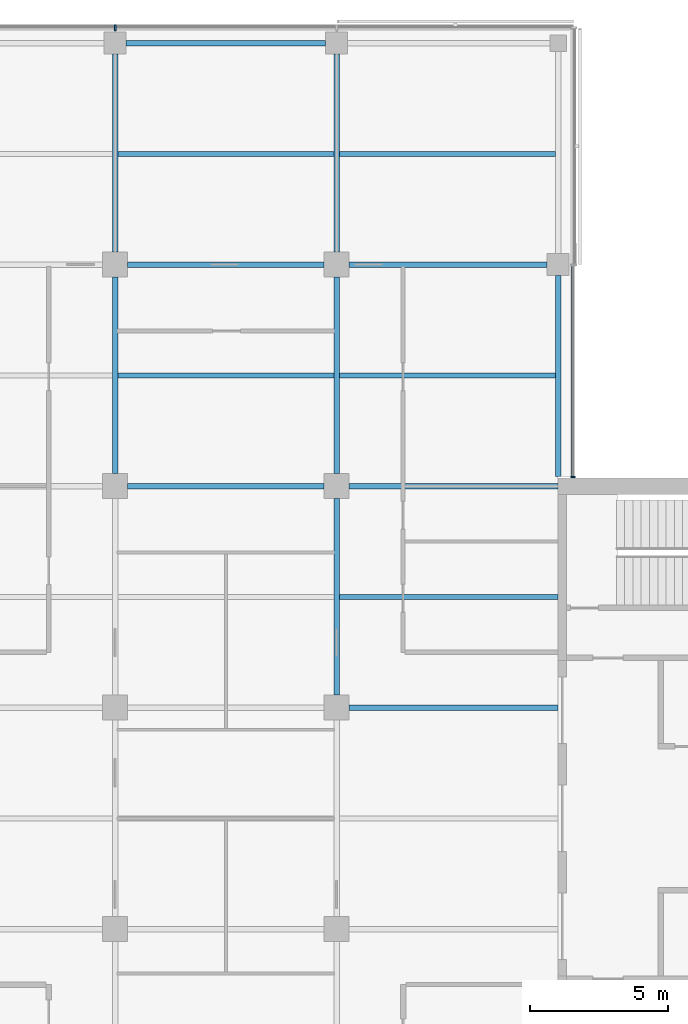
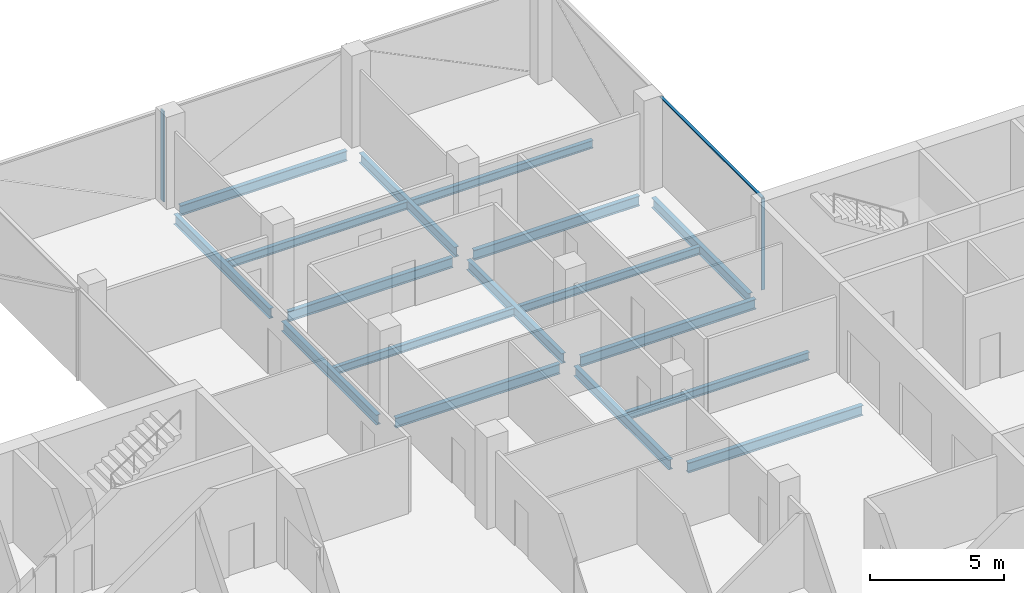
# One storey, part 8 of 18: 17 beams, 3 members, 2 elements without a shape of their own.
"""IFC4 building model written with IfcOpenShell, lengths in metres."""

from ifc_helpers import new_model, si_unit, direction, frame, origin, origin_2d, place, context, subcontext, project, spatial, rectangle, i_section, extrude, material, material_profile, profile_set, type_object, element, aggregate, save


model = new_model("IFC4")

# Units and contexts
model_context = context("Model", 3, precision=1e-05, world=origin(), true_north=direction((0.0, 1.0)))
body_context = subcontext(model_context, "Body", "Model", "MODEL_VIEW")
ifc_project = project(units=[si_unit("LENGTHUNIT", "METRE"), si_unit("AREAUNIT", "SQUARE_METRE"), si_unit("VOLUMEUNIT", "CUBIC_METRE"), si_unit("PLANEANGLEUNIT", "RADIAN"), si_unit("MASSUNIT", "GRAM", prefix="KILO")], contexts=[model_context])

# Site, building, storey
site_placement = place(None, origin())
site = spatial("IfcSite", under=ifc_project, at=site_placement, CompositionType="ELEMENT")
building_placement = place(site_placement, origin())
building = spatial("IfcBuilding", under=site, at=building_placement, Name="Crosswind Convention Tower", CompositionType="ELEMENT")
storey_placement = place(building_placement, frame((0.0, 0.0, 178.89990234375)))
storey = spatial("IfcBuildingStorey", under=building, at=storey_placement, Name="L37", CompositionType="ELEMENT", Elevation=178.89990234375)

# Beams
ifc_material_1 = material(Name="Steel S355", Category="steel")
ifc_material_profile_1 = material_profile(ifc_material_1, i_section(OverallWidth=0.18994140625, OverallDepth=0.45361328125, WebThickness=0.008544921875, FlangeThickness=0.0126953125, FilletRadius=0.01025390625, at=origin_2d()), Name="UB 457x191x67")
ifc_profile_set_1 = profile_set([ifc_material_profile_1], Name="Steel S355")
beam_type_1 = type_object("IfcBeamType", Name="Edge beam UB 457x191x67", PredefinedType="SPANDREL", material=ifc_profile_set_1)
beam_1_placement = place(storey_placement, frame((121.39990234375, 128.0, -0.526611328125), z_axis=(1.0, 0.0, 0.0), x_axis=(0.0, 1.0, 0.0)))
element("IfcBeam", 1, at=beam_1_placement, inside=storey, type_object=beam_type_1, Name="B16 L37 edge beam 13", PredefinedType="SPANDREL", context=body_context, shape_type="SweptSolid", body=[
    extrude(i_section(OverallWidth=0.18994140625, OverallDepth=0.45361328125, WebThickness=0.008544921875, FlangeThickness=0.0126953125, FilletRadius=0.01025390625, at=origin_2d()), origin(), (0.0, 0.0, 1.0), 7.2001953125),
])
beam_2_placement = place(storey_placement, frame((137.0, 112.35009765625, -0.526611328125), z_axis=(0.0, 1.0, 0.0), x_axis=(-1.0, 0.0, 0.0)))
element("IfcBeam", 2, at=beam_2_placement, inside=storey, type_object=beam_type_1, Name="B16 L37 edge beam 18", PredefinedType="SPANDREL", context=body_context, shape_type="SweptSolid", body=[
    extrude(i_section(OverallWidth=0.18994140625, OverallDepth=0.45361328125, WebThickness=0.008544921875, FlangeThickness=0.0126953125, FilletRadius=0.01025390625, at=origin_2d()), origin(), (0.0, 0.0, 1.0), 7.25),
])
ifc_material_profile_2 = material_profile(ifc_material_1, i_section(OverallWidth=0.1904296875, OverallDepth=0.457275390625, WebThickness=0.009033203125, FlangeThickness=0.014404296875, FilletRadius=0.01025390625, at=origin_2d()), Name="UB 457x191x75")
ifc_profile_set_2 = profile_set([ifc_material_profile_2], Name="Steel S355")
beam_type_2 = type_object("IfcBeamType", Name="Girder UB 457x191x75", PredefinedType="BEAM", material=ifc_profile_set_2)
beam_3_placement = place(storey_placement, frame((121.0, 112.449951171875, -0.528564453125), z_axis=(0.0, 1.0, 0.0), x_axis=(-1.0, 0.0, 0.0)))
element("IfcBeam", 3, at=beam_3_placement, inside=storey, type_object=beam_type_2, Name="B2 L37 girder 8", PredefinedType="BEAM", context=body_context, shape_type="SweptSolid", body=[
    extrude(i_section(OverallWidth=0.1904296875, OverallDepth=0.457275390625, WebThickness=0.009033203125, FlangeThickness=0.014404296875, FilletRadius=0.01025390625, at=origin_2d()), origin(), (0.0, 0.0, 1.0), 7.10009765625),
])
beam_4_placement = place(storey_placement, frame((121.0, 120.449951171875, -0.528564453125), z_axis=(0.0, 1.0, 0.0), x_axis=(-1.0, 0.0, 0.0)))
element("IfcBeam", 4, at=beam_4_placement, inside=storey, type_object=beam_type_2, Name="B2 L37 girder 9", PredefinedType="BEAM", context=body_context, shape_type="SweptSolid", body=[
    extrude(i_section(OverallWidth=0.1904296875, OverallDepth=0.457275390625, WebThickness=0.009033203125, FlangeThickness=0.014404296875, FilletRadius=0.01025390625, at=origin_2d()), origin(), (0.0, 0.0, 1.0), 7.150146484375),
])
for number, where, z_axis, x_axis, name in (
    (5, (121.449951171875, 112.0, -0.528564453125), (1.0, 0.0, 0.0), (0.0, 1.0, 0.0), "B2 L37 girder 14"),
    (6, (121.449951171875, 120.0, -0.528564453125), (1.0, 0.0, 0.0), (0.0, 1.0, 0.0), "B2 L37 girder 15"),
    (7, (129.0, 104.449951171875, -0.528564453125), (0.0, 1.0, 0.0), (-1.0, 0.0, 0.0), "B2 L37 girder 20"),
    (8, (129.0, 112.449951171875, -0.528564453125), (0.0, 1.0, 0.0), (-1.0, 0.0, 0.0), "B2 L37 girder 21"),
):
    element("IfcBeam", number, at=place(storey_placement, frame(where, z_axis=z_axis, x_axis=x_axis)), inside=storey, type_object=beam_type_2, Name=name, PredefinedType="BEAM", context=body_context, shape_type="SweptSolid", body=[
        extrude(i_section(OverallWidth=0.1904296875, OverallDepth=0.457275390625, WebThickness=0.009033203125, FlangeThickness=0.014404296875, FilletRadius=0.01025390625, at=origin_2d()), origin(), (0.0, 0.0, 1.0), 7.10009765625),
    ])
for number, where, z_axis, x_axis, name in (
    (9, (129.0, 120.449951171875, -0.528564453125), (0.0, 1.0, 0.0), (-1.0, 0.0, 0.0), "B2 L37 girder 22"),
    (10, (129.449951171875, 120.0, -0.528564453125), (1.0, 0.0, 0.0), (0.0, 1.0, 0.0), "B2 L37 girder 24"),
):
    element("IfcBeam", number, at=place(storey_placement, frame(where, z_axis=z_axis, x_axis=x_axis)), inside=storey, type_object=beam_type_2, Name=name, PredefinedType="BEAM", context=body_context, shape_type="SweptSolid", body=[
        extrude(i_section(OverallWidth=0.1904296875, OverallDepth=0.457275390625, WebThickness=0.009033203125, FlangeThickness=0.014404296875, FilletRadius=0.01025390625, at=origin_2d()), origin(), (0.0, 0.0, 1.0), 7.150146484375),
    ])
ifc_material_profile_3 = material_profile(ifc_material_1, i_section(OverallWidth=0.19140625, OverallDepth=0.460205078125, WebThickness=0.010009765625, FlangeThickness=0.01611328125, FilletRadius=0.01025390625, at=origin_2d()), Name="UB 457x191x82")
ifc_profile_set_3 = profile_set([ifc_material_profile_3], Name="Steel S355")
beam_type_3 = type_object("IfcBeamType", Name="Girder at core wall UB 457x191x82", PredefinedType="BEAM", material=ifc_profile_set_3)
for number, where, z_axis, x_axis, name in (
    (11, (129.449951171875, 104.0, -0.530029296875), (1.0, 0.0, 0.0), (0.0, 1.0, 0.0), "B23 L37 girder at core wall 9"),
    (12, (129.449951171875, 112.0, -0.530029296875), (1.0, 0.0, 0.0), (0.0, 1.0, 0.0), "B23 L37 girder at core wall 10"),
):
    element("IfcBeam", number, at=place(storey_placement, frame(where, z_axis=z_axis, x_axis=x_axis)), inside=storey, type_object=beam_type_3, Name=name, PredefinedType="BEAM", context=body_context, shape_type="SweptSolid", body=[
        extrude(i_section(OverallWidth=0.19140625, OverallDepth=0.460205078125, WebThickness=0.010009765625, FlangeThickness=0.01611328125, FilletRadius=0.01025390625, at=origin_2d()), origin(), (0.0, 0.0, 1.0), 7.550048828125),
    ])

# Curtain wall, member
ifc_material_2 = material(Name="Aluminium unitised curtain wall", Category="aluminium")
curtain_wall_type_1 = type_object("IfcCurtainWallType", Name="CORE END SLOT WALL 160", PredefinedType="USERDEFINED", material=ifc_material_2)
curtain_wall_1_placement = place(storey_placement, origin())
curtain_wall_1 = element("IfcCurtainWall", 13, at=curtain_wall_1_placement, inside=storey, type_object=curtain_wall_type_1, Name="CW6 L37 N-E.1-1 slot", ObjectType="UNITISED", PredefinedType="USERDEFINED")
ifc_material_3 = material(Name="Aluminium mullion", Category="aluminium")
ifc_material_profile_4 = material_profile(ifc_material_3, rectangle(XDim=0.159912109375, YDim=0.050048828125, at=origin_2d()), Name="AL 160X50")
ifc_profile_set_4 = profile_set([ifc_material_profile_4], Name="Aluminium mullion")
member_type_1 = type_object("IfcMemberType", Name="MULLION 50X160", PredefinedType="MULLION", material=ifc_profile_set_4)
member_1_placement = place(storey_placement, frame((137.530029296875, 112.324951171875, -0.2998046875), z_axis=(0.0, 0.0, 1.0), x_axis=(1.0, 0.0, 0.0)))
member_1 = element("IfcMember", 14, at=member_1_placement, type_object=member_type_1, Name="CW6 mullion 1", PredefinedType="MULLION", context=body_context, shape_type="SweptSolid", body=[
    extrude(rectangle(XDim=0.159912109375, YDim=0.050048828125, at=origin_2d()), origin(), (0.0, 0.0, 1.0), 4.14990234375),
])

curtain_wall_type_2 = type_object("IfcCurtainWallType", Name="OFFICE UNITISED WALL 220", PredefinedType="USERDEFINED", material=ifc_material_2)
curtain_wall_2_placement = place(storey_placement, origin())
curtain_wall_2 = element("IfcCurtainWall", 15, at=curtain_wall_2_placement, inside=storey, type_object=curtain_wall_type_2, Name="CW3 L37 N-TIP 1", ObjectType="UNITISED", PredefinedType="USERDEFINED")
ifc_material_profile_5 = material_profile(ifc_material_3, rectangle(XDim=0.219970703125, YDim=0.070068359375, at=origin_2d()), Name="AL 220X70")
ifc_profile_set_5 = profile_set([ifc_material_profile_5], Name="Aluminium mullion")
member_type_2 = type_object("IfcMemberType", Name="MULLION 70X220", PredefinedType="MULLION", material=ifc_profile_set_5)
member_2_placement = place(storey_placement, frame((121.0, 128.56005859375, -0.2998046875), z_axis=(0.0, 0.0, 1.0), x_axis=(0.0, 1.0, 0.0)))
member_2 = element("IfcMember", 16, at=member_2_placement, type_object=member_type_2, Name="CW3 mullion 3", PredefinedType="MULLION", context=body_context, shape_type="SweptSolid", body=[
    extrude(rectangle(XDim=0.219970703125, YDim=0.070068359375, at=origin_2d()), origin(), (0.0, 0.0, 1.0), 4.1298828125),
])
aggregate(curtain_wall_2, [member_2])

# Beams
ifc_material_profile_6 = material_profile(ifc_material_1, i_section(OverallWidth=0.172119140625, OverallDepth=0.358642578125, WebThickness=0.008056640625, FlangeThickness=0.012939453125, FilletRadius=0.01025390625, at=origin_2d()), Name="UB 356x171x57")
ifc_profile_set_6 = profile_set([ifc_material_profile_6], Name="Steel S355")
beam_type_4 = type_object("IfcBeamType", Name="Secondary beam UB 356x171x57", PredefinedType="JOIST", material=ifc_profile_set_6)
for number, where, z_axis, x_axis, name in (
    (17, (121.09521484375, 116.0, -0.479248046875), (1.0, 0.0, 0.0), (0.0, 1.0, 0.0), "B9 L37 secondary beam 16"),
    (18, (121.09521484375, 124.0, -0.479248046875), (1.0, 0.0, 0.0), (0.0, 1.0, 0.0), "B9 L37 secondary beam 17"),
):
    element("IfcBeam", number, at=place(storey_placement, frame(where, z_axis=z_axis, x_axis=x_axis)), inside=storey, type_object=beam_type_4, Name=name, PredefinedType="JOIST", context=body_context, shape_type="SweptSolid", body=[
        extrude(i_section(OverallWidth=0.172119140625, OverallDepth=0.358642578125, WebThickness=0.008056640625, FlangeThickness=0.012939453125, FilletRadius=0.01025390625, at=origin_2d()), origin(), (0.0, 0.0, 1.0), 7.8095703125),
    ])
beam_5_placement = place(storey_placement, frame((129.09521484375, 108.0, -0.479248046875), z_axis=(1.0, 0.0, 0.0), x_axis=(0.0, 1.0, 0.0)))
element("IfcBeam", 19, at=beam_5_placement, inside=storey, type_object=beam_type_4, Name="B9 L37 secondary beam 22", PredefinedType="JOIST", context=body_context, shape_type="SweptSolid", body=[
    extrude(i_section(OverallWidth=0.172119140625, OverallDepth=0.358642578125, WebThickness=0.008056640625, FlangeThickness=0.012939453125, FilletRadius=0.01025390625, at=origin_2d()), origin(), (0.0, 0.0, 1.0), 7.90478515625),
])
for number, where, z_axis, x_axis, name in (
    (20, (129.09521484375, 116.0, -0.479248046875), (1.0, 0.0, 0.0), (0.0, 1.0, 0.0), "B9 L37 secondary beam 23"),
    (21, (129.09521484375, 124.0, -0.479248046875), (1.0, 0.0, 0.0), (0.0, 1.0, 0.0), "B9 L37 secondary beam 24"),
):
    element("IfcBeam", number, at=place(storey_placement, frame(where, z_axis=z_axis, x_axis=x_axis)), inside=storey, type_object=beam_type_4, Name=name, PredefinedType="JOIST", context=body_context, shape_type="SweptSolid", body=[
        extrude(i_section(OverallWidth=0.172119140625, OverallDepth=0.358642578125, WebThickness=0.008056640625, FlangeThickness=0.012939453125, FilletRadius=0.01025390625, at=origin_2d()), origin(), (0.0, 0.0, 1.0), 7.809814453125),
    ])

# Member
ifc_material_4 = material(Name="Aluminium transom", Category="aluminium")
ifc_material_profile_7 = material_profile(ifc_material_4, rectangle(XDim=0.1201171875, YDim=0.050048828125, at=origin_2d()), Name="AL 120X50")
ifc_profile_set_7 = profile_set([ifc_material_profile_7], Name="Aluminium transom")
member_type_3 = type_object("IfcMemberType", Name="TRANSOM 50X120", PredefinedType="USERDEFINED", material=ifc_profile_set_7)
member_3_placement = place(storey_placement, frame((137.530029296875, 112.35009765625, 3.875), z_axis=(0.0, 1.0, 0.0), x_axis=(-1.0, 0.0, 0.0)))
member_3 = element("IfcMember", 22, at=member_3_placement, type_object=member_type_3, Name="CW6 transom", ObjectType="TRANSOM", PredefinedType="USERDEFINED", context=body_context, shape_type="SweptSolid", body=[
    extrude(rectangle(XDim=0.1201171875, YDim=0.050048828125, at=origin_2d()), origin(), (0.0, 0.0, 1.0), 7.599853515625),
])

aggregate(curtain_wall_1, [member_1, member_3])

save(model, "model.ifc")
